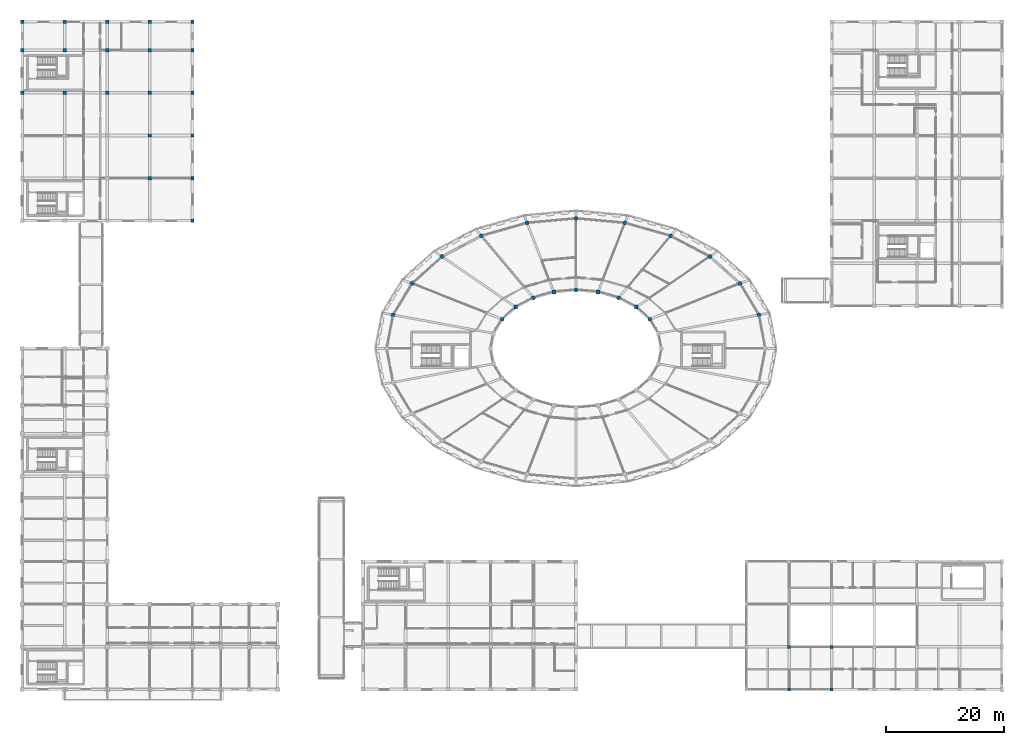
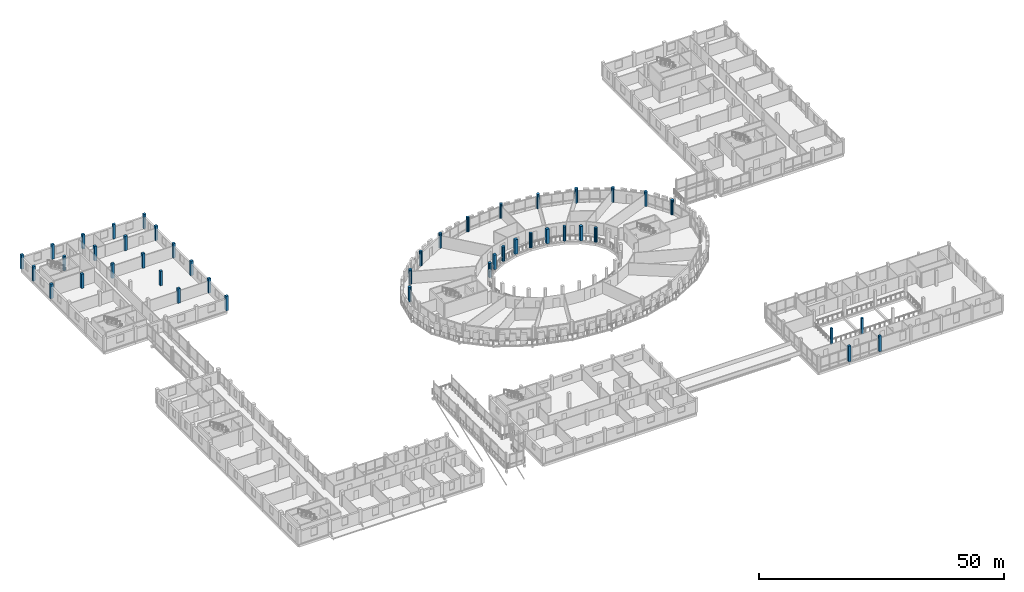
# One storey, part 7 of 128: 44 columns.
"""IFC4 building model written with IfcOpenShell, lengths in metres."""

from ifc_helpers import new_model, si_unit, direction, frame, origin, origin_2d, place, context, subcontext, project, spatial, rectangle, circle, extrude, material, material_profile, profile_set, type_object, element, save


model = new_model("IFC4")

# Units and contexts
model_context = context("Model", 3, precision=1e-05, world=origin(), true_north=direction((0.0, 1.0)))
body_context = subcontext(model_context, "Body", "Model", "MODEL_VIEW")
ifc_project = project(units=[si_unit("LENGTHUNIT", "METRE"), si_unit("AREAUNIT", "SQUARE_METRE"), si_unit("VOLUMEUNIT", "CUBIC_METRE"), si_unit("PLANEANGLEUNIT", "RADIAN"), si_unit("MASSUNIT", "GRAM", prefix="KILO")], contexts=[model_context])

# Site, building, storey
site_placement = place(None, origin())
site = spatial("IfcSite", under=ifc_project, at=site_placement, CompositionType="ELEMENT")
building_placement = place(site_placement, origin())
building = spatial("IfcBuilding", under=site, at=building_placement, Name="Zornivar Specialist Clinic", CompositionType="ELEMENT")
storey_placement = place(building_placement, frame((0.0, 0.0, 4.5)))
storey = spatial("IfcBuildingStorey", under=building, at=storey_placement, Name="L01", CompositionType="ELEMENT", Elevation=4.5)

# Columns
ifc_material_1 = material(Name="Concrete C35/45", Category="concrete")
ifc_material_profile_1 = material_profile(ifc_material_1, rectangle(XDim=0.5, YDim=0.5, at=origin_2d()), Name="RC 500x500")
ifc_profile_set_1 = profile_set([ifc_material_profile_1], Name="Concrete C35/45")
column_type_1 = type_object("IfcColumnType", Name="COL-RC-500", PredefinedType="COLUMN", material=ifc_profile_set_1)
for number, where, z_axis, x_axis, name in (
    (1, (129.60009765625, 0.0, 0.0), (0.0, 0.0, 1.0), (1.0, 0.0, 0.0), "col:V4:L01:1296_0"),
    (2, (129.60009765625, 7.199951171875, 0.0), (0.0, 0.0, 1.0), (1.0, 0.0, 0.0), "col:V4:L01:1296_72"),
    (3, (136.800048828125, 0.0, 0.0), (0.0, 0.0, 1.0), (1.0, 0.0, 0.0), "col:V4:L01:1368_0"),
    (4, (136.800048828125, 7.199951171875, 0.0), (0.0, 0.0, 1.0), (1.0, 0.0, 0.0), "col:V4:L01:1368_72"),
):
    element("IfcColumn", number, at=place(storey_placement, frame(where, z_axis=z_axis, x_axis=x_axis)), inside=storey, type_object=column_type_1, Name=name, PredefinedType="COLUMN", context=body_context, shape_type="SweptSolid", body=[
        extrude(rectangle(XDim=0.5, YDim=0.5, at=origin_2d()), origin(), (0.0, 0.0, 1.0), 3.89990234375),
    ])
ifc_material_2 = material(Name="Concrete C35/45", Category="concrete")
ifc_material_profile_2 = material_profile(ifc_material_2, rectangle(XDim=0.580078125, YDim=0.580078125, at=origin_2d()), Name="RC 580x580")
ifc_profile_set_2 = profile_set([ifc_material_profile_2], Name="Concrete C35/45")
column_type_2 = type_object("IfcColumnType", Name="COL-RC-580", PredefinedType="COLUMN", material=ifc_profile_set_2)
for number, where, z_axis, x_axis, name in (
    (5, (0.0, 100.800048828125, 0.0), (0.0, 0.0, 1.0), (1.0, 0.0, 0.0), "col:V5:L01:0_1008"),
    (6, (0.0, 108.0, 0.0), (0.0, 0.0, 1.0), (1.0, 0.0, 0.0), "col:V5:L01:0_1080"),
    (7, (0.0, 112.800048828125, 0.0), (0.0, 0.0, 1.0), (1.0, 0.0, 0.0), "col:V5:L01:0_1128"),
    (8, (7.199951171875, 100.800048828125, 0.0), (0.0, 0.0, 1.0), (1.0, 0.0, 0.0), "col:V5:L01:72_1008"),
    (9, (7.199951171875, 108.0, 0.0), (0.0, 0.0, 1.0), (1.0, 0.0, 0.0), "col:V5:L01:72_1080"),
    (10, (7.199951171875, 112.800048828125, 0.0), (0.0, 0.0, 1.0), (1.0, 0.0, 0.0), "col:V5:L01:72_1128"),
    (11, (14.39990234375, 100.800048828125, 0.0), (0.0, 0.0, 1.0), (1.0, 0.0, 0.0), "col:V5:L01:144_1008"),
    (12, (14.39990234375, 108.0, 0.0), (0.0, 0.0, 1.0), (1.0, 0.0, 0.0), "col:V5:L01:144_1080"),
    (13, (14.39990234375, 112.800048828125, 0.0), (0.0, 0.0, 1.0), (1.0, 0.0, 0.0), "col:V5:L01:144_1128"),
    (14, (21.60009765625, 86.39990234375, 0.0), (0.0, 0.0, 1.0), (1.0, 0.0, 0.0), "col:V5:L01:216_864"),
    (15, (21.60009765625, 93.60009765625, 0.0), (0.0, 0.0, 1.0), (1.0, 0.0, 0.0), "col:V5:L01:216_936"),
    (16, (21.60009765625, 100.800048828125, 0.0), (0.0, 0.0, 1.0), (1.0, 0.0, 0.0), "col:V5:L01:216_1008"),
    (17, (21.60009765625, 108.0, 0.0), (0.0, 0.0, 1.0), (1.0, 0.0, 0.0), "col:V5:L01:216_1080"),
    (18, (21.60009765625, 112.800048828125, 0.0), (0.0, 0.0, 1.0), (1.0, 0.0, 0.0), "col:V5:L01:216_1128"),
    (19, (28.800048828125, 79.199951171875, 0.0), (0.0, 0.0, 1.0), (1.0, 0.0, 0.0), "col:V5:L01:288_792"),
    (20, (28.800048828125, 86.39990234375, 0.0), (0.0, 0.0, 1.0), (1.0, 0.0, 0.0), "col:V5:L01:288_864"),
    (21, (28.800048828125, 93.60009765625, 0.0), (0.0, 0.0, 1.0), (1.0, 0.0, 0.0), "col:V5:L01:288_936"),
    (22, (28.800048828125, 100.800048828125, 0.0), (0.0, 0.0, 1.0), (1.0, 0.0, 0.0), "col:V5:L01:288_1008"),
    (23, (28.800048828125, 108.0, 0.0), (0.0, 0.0, 1.0), (1.0, 0.0, 0.0), "col:V5:L01:288_1080"),
    (24, (28.800048828125, 112.800048828125, 0.0), (0.0, 0.0, 1.0), (1.0, 0.0, 0.0), "col:V5:L01:288_1128"),
):
    element("IfcColumn", number, at=place(storey_placement, frame(where, z_axis=z_axis, x_axis=x_axis)), inside=storey, type_object=column_type_2, Name=name, PredefinedType="COLUMN", context=body_context, shape_type="SweptSolid", body=[
        extrude(rectangle(XDim=0.580078125, YDim=0.580078125, at=origin_2d()), origin(), (0.0, 0.0, 1.0), 3.590087890625),
    ])
ifc_material_3 = material(Name="Concrete C35/45", Category="concrete")
ifc_material_profile_3 = material_profile(ifc_material_3, rectangle(XDim=0.64990234375, YDim=0.64990234375, at=origin_2d()), Name="RC 650x650")
ifc_profile_set_3 = profile_set([ifc_material_profile_3], Name="Concrete C35/45")
column_type_3 = type_object("IfcColumnType", Name="COL-RC-650", PredefinedType="COLUMN", material=ifc_profile_set_3)
for number, where, z_axis, x_axis, name in (
    (25, (103.781982421875, 64.60009765625, 0.0), (0.0, 0.0, 1.0), (1.0, 0.0, 0.0), "col:V1:L01:in:03"),
    (26, (97.326904296875, 67.1630859375, 0.0), (0.0, 0.0, 1.0), (1.0, 0.0, 0.0), "col:V1:L01:in:05"),
    (27, (89.873046875, 67.1630859375, 0.0), (0.0, 0.0, 1.0), (1.0, 0.0, 0.0), "col:V1:L01:in:07"),
    (28, (83.41796875, 64.60009765625, 0.0), (0.0, 0.0, 1.0), (1.0, 0.0, 0.0), "col:V1:L01:in:09"),
):
    element("IfcColumn", number, at=place(storey_placement, frame(where, z_axis=z_axis, x_axis=x_axis)), inside=storey, type_object=column_type_3, Name=name, PredefinedType="COLUMN", context=body_context, shape_type="SweptSolid", body=[
        extrude(rectangle(XDim=0.64990234375, YDim=0.64990234375, at=origin_2d()), origin(), (0.0, 0.0, 1.0), 3.610107421875),
    ])
ifc_material_4 = material(Name="Concrete C35/45", Category="concrete")
ifc_material_profile_4 = material_profile(ifc_material_4, circle(Radius=0.340087890625, at=origin_2d()), Name="RC D680")
ifc_profile_set_4 = profile_set([ifc_material_profile_4], Name="Concrete C35/45")
column_type_4 = type_object("IfcColumnType", Name="COL-RC-D680", PredefinedType="COLUMN", material=ifc_profile_set_4)
for number, where, z_axis, x_axis, name in (
    (29, (124.510009765625, 63.2939453125, 0.0), (0.0, 0.0, 1.0), (1.0, 0.0, 0.0), "col:V1:L01:out:01"),
    (30, (121.31298828125, 68.60009765625, 0.0), (0.0, 0.0, 1.0), (1.0, 0.0, 0.0), "col:V1:L01:out:02"),
    (31, (106.071044921875, 62.550048828125, 0.0), (0.0, 0.0, 1.0), (1.0, 0.0, 0.0), "col:V1:L01:in:02"),
    (32, (116.22705078125, 73.156005859375, 0.0), (0.0, 0.0, 1.0), (1.0, 0.0, 0.0), "col:V1:L01:out:03"),
    (33, (109.60009765625, 76.653076171875, 0.0), (0.0, 0.0, 1.0), (1.0, 0.0, 0.0), "col:V1:L01:out:04"),
    (34, (100.800048828125, 66.174072265625, 0.0), (0.0, 0.0, 1.0), (1.0, 0.0, 0.0), "col:V1:L01:in:04"),
    (35, (101.882080078125, 78.85009765625, 0.0), (0.0, 0.0, 1.0), (1.0, 0.0, 0.0), "col:V1:L01:out:05"),
    (36, (93.60009765625, 79.60009765625, 0.0), (0.0, 0.0, 1.0), (1.0, 0.0, 0.0), "col:V1:L01:out:06"),
    (37, (93.60009765625, 67.5, 0.0), (0.0, 0.0, 1.0), (1.0, 0.0, 0.0), "col:V1:L01:in:06"),
    (38, (85.318115234375, 78.85009765625, 0.0), (0.0, 0.0, 1.0), (1.0, 0.0, 0.0), "col:V1:L01:out:07"),
    (39, (77.60009765625, 76.653076171875, 0.0), (0.0, 0.0, 1.0), (1.0, 0.0, 0.0), "col:V1:L01:out:08"),
    (40, (86.39990234375, 66.174072265625, 0.0), (0.0, 0.0, 1.0), (1.0, 0.0, 0.0), "col:V1:L01:in:08"),
    (41, (70.972900390625, 73.156005859375, 0.0), (0.0, 0.0, 1.0), (1.0, 0.0, 0.0), "col:V1:L01:out:09"),
    (42, (65.886962890625, 68.60009765625, 0.0), (0.0, 0.0, 1.0), (1.0, 0.0, 0.0), "col:V1:L01:out:10"),
    (43, (81.12890625, 62.550048828125, 0.0), (0.0, 0.0, 1.0), (1.0, 0.0, 0.0), "col:V1:L01:in:10"),
    (44, (62.68994140625, 63.2939453125, 0.0), (0.0, 0.0, 1.0), (1.0, 0.0, 0.0), "col:V1:L01:out:11"),
):
    element("IfcColumn", number, at=place(storey_placement, frame(where, z_axis=z_axis, x_axis=x_axis)), inside=storey, type_object=column_type_4, Name=name, PredefinedType="COLUMN", context=body_context, shape_type="SweptSolid", body=[
        extrude(circle(Radius=0.340087890625, at=origin_2d()), origin(), (0.0, 0.0, 1.0), 3.610107421875),
    ])

save(model, "model.ifc")
